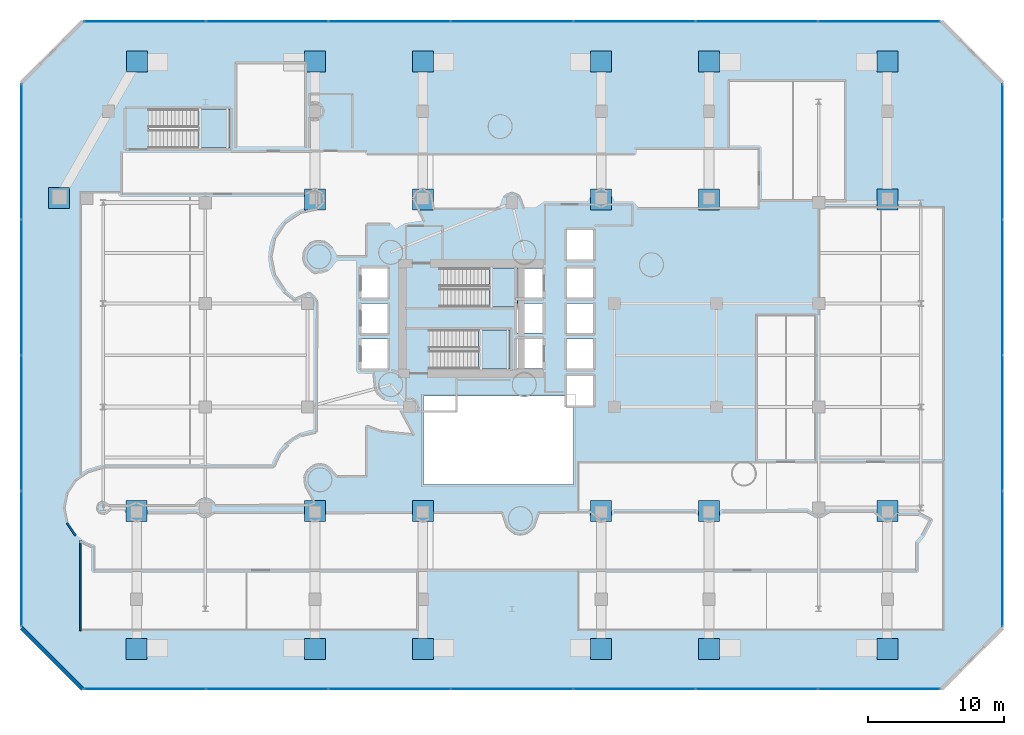
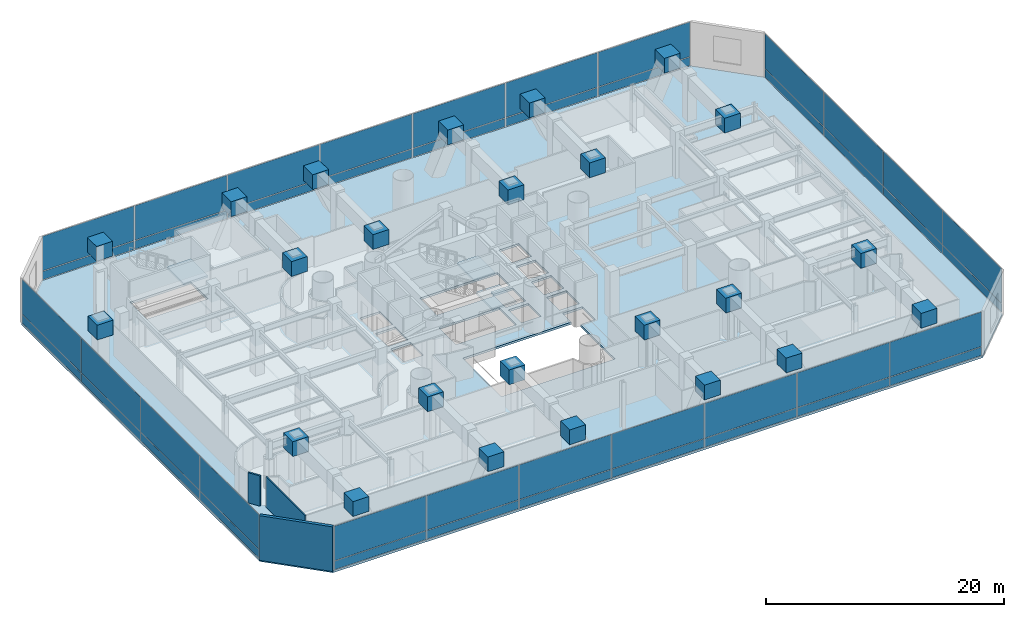
# One storey, part 30 of 45: 68 plates, 4 slabs, 3 walls, 7 elements without a shape of their own.
"""IFC4 building model written with IfcOpenShell, lengths in metres."""

from ifc_helpers import new_model, si_unit, direction, frame, frame_2d, origin, origin_2d, place, context, subcontext, project, spatial, polyline, rectangle, outline, extrude, material, layer, layer_set, type_object, element, aggregate, save


model = new_model("IFC4")

# Units and contexts
model_context = context("Model", 3, precision=1e-05, world=origin(), true_north=direction((0.0, 1.0)))
body_context = subcontext(model_context, "Body", "Model", "MODEL_VIEW")
ifc_project = project(units=[si_unit("LENGTHUNIT", "METRE"), si_unit("AREAUNIT", "SQUARE_METRE"), si_unit("VOLUMEUNIT", "CUBIC_METRE"), si_unit("PLANEANGLEUNIT", "RADIAN"), si_unit("MASSUNIT", "GRAM", prefix="KILO")], contexts=[model_context])

# Site, building, storey
site_placement = place(None, origin())
site = spatial("IfcSite", under=ifc_project, at=site_placement, CompositionType="ELEMENT")
building_placement = place(site_placement, origin())
building = spatial("IfcBuilding", under=site, at=building_placement, Name="Qianvela Tower", CompositionType="ELEMENT")
storey_placement = place(building_placement, frame((0.0, 0.0, 11.0)))
storey = spatial("IfcBuildingStorey", under=building, at=storey_placement, Name="L02", CompositionType="ELEMENT", Elevation=11.0)

# Curtain wall, plates
ifc_material_1 = material(Name="Anodised Architectural Aluminium and Low-E Glass", Category="aluminium")
ifc_layer_1 = layer(ifc_material_1, 0.179931640625)
ifc_layer_set_1 = layer_set([ifc_layer_1], Name="Anodised Architectural Aluminium and Low-E Glass")
curtain_wall_type = type_object("IfcCurtainWallType", Name="CW-COMMONS", PredefinedType="USERDEFINED", material=ifc_layer_set_1)
curtain_wall_1_placement = place(storey_placement, origin())
curtain_wall_1 = element("IfcCurtainWall", 1, at=curtain_wall_1_placement, inside=storey, type_object=curtain_wall_type, Name="L02 CW-COMMONS Curtain Wall 01", ObjectType="CURTAIN_WALL_SYSTEM", PredefinedType="USERDEFINED")
ifc_material_2 = material(Name="Double-Silver Low-E Insulated Glass", Category="glass")
ifc_layer_2 = layer(ifc_material_2, 0.031982421875)
ifc_layer_set_2 = layer_set([ifc_layer_2], Name="Double-Silver Low-E Insulated Glass")
plate_type_1 = type_object("IfcPlateType", Name="CW-COMMONS-PNL", PredefinedType="CURTAIN_PANEL", material=ifc_layer_set_2)
plate_1_placement = place(storey_placement, frame((10.560302734375, 1.5, 0.06005859375), z_axis=(0.0, 0.0, 1.0), x_axis=(1.0, 0.0, 0.0)))
plate_1 = element("IfcPlate", 2, at=plate_1_placement, type_object=plate_type_1, Name="CW-2 panel 1.1", PredefinedType="CURTAIN_PANEL", context=body_context, shape_type="SweptSolid", body=[
    extrude(rectangle(XDim=8.880615234375, YDim=0.031982421875, at=origin_2d()), origin(), (0.0, 0.0, 1.0), 0.860107421875),
])
plate_2_placement = place(storey_placement, frame((10.560302734375, 1.5, 0.97998046875), z_axis=(0.0, 0.0, 1.0), x_axis=(1.0, 0.0, 0.0)))
plate_2 = element("IfcPlate", 3, at=plate_2_placement, type_object=plate_type_1, Name="CW-2 panel 1.2", PredefinedType="CURTAIN_PANEL", context=body_context, shape_type="SweptSolid", body=[
    extrude(rectangle(XDim=8.880615234375, YDim=0.031982421875, at=origin_2d()), origin(), (0.0, 0.0, 1.0), 3.5400390625),
])
plate_3_placement = place(storey_placement, frame((19.528564453125, 1.5, 0.06005859375), z_axis=(0.0, 0.0, 1.0), x_axis=(1.0, 0.0, 0.0)))
plate_3 = element("IfcPlate", 4, at=plate_3_placement, type_object=plate_type_1, Name="CW-2 panel 2.1", PredefinedType="CURTAIN_PANEL", context=body_context, shape_type="SweptSolid", body=[
    extrude(rectangle(XDim=8.915771484375, YDim=0.031982421875, at=origin_2d()), origin(), (0.0, 0.0, 1.0), 0.860107421875),
])
plate_4_placement = place(storey_placement, frame((19.528564453125, 1.5, 0.97998046875), z_axis=(0.0, 0.0, 1.0), x_axis=(1.0, 0.0, 0.0)))
plate_4 = element("IfcPlate", 5, at=plate_4_placement, type_object=plate_type_1, Name="CW-2 panel 2.2", PredefinedType="CURTAIN_PANEL", context=body_context, shape_type="SweptSolid", body=[
    extrude(rectangle(XDim=8.915771484375, YDim=0.031982421875, at=origin_2d()), origin(), (0.0, 0.0, 1.0), 3.5400390625),
])
plate_5_placement = place(storey_placement, frame((28.514404296875, 1.5, 0.06005859375), z_axis=(0.0, 0.0, 1.0), x_axis=(1.0, 0.0, 0.0)))
plate_5 = element("IfcPlate", 6, at=plate_5_placement, type_object=plate_type_1, Name="CW-2 panel 3.1", PredefinedType="CURTAIN_PANEL", context=body_context, shape_type="SweptSolid", body=[
    extrude(rectangle(XDim=8.915771484375, YDim=0.031982421875, at=origin_2d()), origin(), (0.0, 0.0, 1.0), 0.860107421875),
])
plate_6_placement = place(storey_placement, frame((28.514404296875, 1.5, 0.97998046875), z_axis=(0.0, 0.0, 1.0), x_axis=(1.0, 0.0, 0.0)))
plate_6 = element("IfcPlate", 7, at=plate_6_placement, type_object=plate_type_1, Name="CW-2 panel 3.2", PredefinedType="CURTAIN_PANEL", context=body_context, shape_type="SweptSolid", body=[
    extrude(rectangle(XDim=8.915771484375, YDim=0.031982421875, at=origin_2d()), origin(), (0.0, 0.0, 1.0), 3.5400390625),
])
plate_7_placement = place(storey_placement, frame((37.5, 1.5, 0.06005859375), z_axis=(0.0, 0.0, 1.0), x_axis=(1.0, 0.0, 0.0)))
plate_7 = element("IfcPlate", 8, at=plate_7_placement, type_object=plate_type_1, Name="CW-2 panel 4.1", PredefinedType="CURTAIN_PANEL", context=body_context, shape_type="SweptSolid", body=[
    extrude(rectangle(XDim=8.915771484375, YDim=0.031982421875, at=origin_2d()), origin(), (0.0, 0.0, 1.0), 0.860107421875),
])
plate_8_placement = place(storey_placement, frame((37.5, 1.5, 0.97998046875), z_axis=(0.0, 0.0, 1.0), x_axis=(1.0, 0.0, 0.0)))
plate_8 = element("IfcPlate", 9, at=plate_8_placement, type_object=plate_type_1, Name="CW-2 panel 4.2", PredefinedType="CURTAIN_PANEL", context=body_context, shape_type="SweptSolid", body=[
    extrude(rectangle(XDim=8.915771484375, YDim=0.031982421875, at=origin_2d()), origin(), (0.0, 0.0, 1.0), 3.5400390625),
])
plate_9_placement = place(storey_placement, frame((46.485595703125, 1.5, 0.06005859375), z_axis=(0.0, 0.0, 1.0), x_axis=(1.0, 0.0, 0.0)))
plate_9 = element("IfcPlate", 10, at=plate_9_placement, type_object=plate_type_1, Name="CW-2 panel 5.1", PredefinedType="CURTAIN_PANEL", context=body_context, shape_type="SweptSolid", body=[
    extrude(rectangle(XDim=8.915771484375, YDim=0.031982421875, at=origin_2d()), origin(), (0.0, 0.0, 1.0), 0.860107421875),
])
plate_10_placement = place(storey_placement, frame((46.485595703125, 1.5, 0.97998046875), z_axis=(0.0, 0.0, 1.0), x_axis=(1.0, 0.0, 0.0)))
plate_10 = element("IfcPlate", 11, at=plate_10_placement, type_object=plate_type_1, Name="CW-2 panel 5.2", PredefinedType="CURTAIN_PANEL", context=body_context, shape_type="SweptSolid", body=[
    extrude(rectangle(XDim=8.915771484375, YDim=0.031982421875, at=origin_2d()), origin(), (0.0, 0.0, 1.0), 3.5400390625),
])
plate_11_placement = place(storey_placement, frame((55.471435546875, 1.5, 0.06005859375), z_axis=(0.0, 0.0, 1.0), x_axis=(1.0, 0.0, 0.0)))
plate_11 = element("IfcPlate", 12, at=plate_11_placement, type_object=plate_type_1, Name="CW-2 panel 6.1", PredefinedType="CURTAIN_PANEL", context=body_context, shape_type="SweptSolid", body=[
    extrude(rectangle(XDim=8.915771484375, YDim=0.031982421875, at=origin_2d()), origin(), (0.0, 0.0, 1.0), 0.860107421875),
])
plate_12_placement = place(storey_placement, frame((55.471435546875, 1.5, 0.97998046875), z_axis=(0.0, 0.0, 1.0), x_axis=(1.0, 0.0, 0.0)))
plate_12 = element("IfcPlate", 13, at=plate_12_placement, type_object=plate_type_1, Name="CW-2 panel 6.2", PredefinedType="CURTAIN_PANEL", context=body_context, shape_type="SweptSolid", body=[
    extrude(rectangle(XDim=8.915771484375, YDim=0.031982421875, at=origin_2d()), origin(), (0.0, 0.0, 1.0), 3.5400390625),
])
plate_13_placement = place(storey_placement, frame((64.439697265625, 1.5, 0.06005859375), z_axis=(0.0, 0.0, 1.0), x_axis=(1.0, 0.0, 0.0)))
plate_13 = element("IfcPlate", 14, at=plate_13_placement, type_object=plate_type_1, Name="CW-2 panel 7.1", PredefinedType="CURTAIN_PANEL", context=body_context, shape_type="SweptSolid", body=[
    extrude(rectangle(XDim=8.880615234375, YDim=0.031982421875, at=origin_2d()), origin(), (0.0, 0.0, 1.0), 0.860107421875),
])
plate_14_placement = place(storey_placement, frame((64.439697265625, 1.5, 0.97998046875), z_axis=(0.0, 0.0, 1.0), x_axis=(1.0, 0.0, 0.0)))
plate_14 = element("IfcPlate", 15, at=plate_14_placement, type_object=plate_type_1, Name="CW-2 panel 7.2", PredefinedType="CURTAIN_PANEL", context=body_context, shape_type="SweptSolid", body=[
    extrude(rectangle(XDim=8.880615234375, YDim=0.031982421875, at=origin_2d()), origin(), (0.0, 0.0, 1.0), 3.5400390625),
])
aggregate(curtain_wall_1, [plate_1, plate_2, plate_3, plate_4, plate_5, plate_6, plate_7, plate_8, plate_9, plate_10, plate_11, plate_12, plate_13, plate_14])

curtain_wall_2_placement = place(storey_placement, origin())
curtain_wall_2 = element("IfcCurtainWall", 16, at=curtain_wall_2_placement, inside=storey, type_object=curtain_wall_type, Name="L02 CW-COMMONS Curtain Wall 03", ObjectType="CURTAIN_WALL_SYSTEM", PredefinedType="USERDEFINED")
plate_15_placement = place(storey_placement, frame((73.5, 11.054931640625, 0.06005859375), z_axis=(0.0, 0.0, 1.0), x_axis=(0.0, 1.0, 0.0)))
plate_15 = element("IfcPlate", 17, at=plate_15_placement, type_object=plate_type_1, Name="CW-2 panel 1.1", PredefinedType="CURTAIN_PANEL", context=body_context, shape_type="SweptSolid", body=[
    extrude(rectangle(XDim=9.8701171875, YDim=0.031982421875, at=origin_2d()), origin(), (0.0, 0.0, 1.0), 0.860107421875),
])
plate_16_placement = place(storey_placement, frame((73.5, 11.054931640625, 0.97998046875), z_axis=(0.0, 0.0, 1.0), x_axis=(0.0, 1.0, 0.0)))
plate_16 = element("IfcPlate", 18, at=plate_16_placement, type_object=plate_type_1, Name="CW-2 panel 1.2", PredefinedType="CURTAIN_PANEL", context=body_context, shape_type="SweptSolid", body=[
    extrude(rectangle(XDim=9.8701171875, YDim=0.031982421875, at=origin_2d()), origin(), (0.0, 0.0, 1.0), 3.5400390625),
])
plate_17_placement = place(storey_placement, frame((73.5, 21.012451171875, 0.06005859375), z_axis=(0.0, 0.0, 1.0), x_axis=(0.0, 1.0, 0.0)))
plate_17 = element("IfcPlate", 19, at=plate_17_placement, type_object=plate_type_1, Name="CW-2 panel 2.1", PredefinedType="CURTAIN_PANEL", context=body_context, shape_type="SweptSolid", body=[
    extrude(rectangle(XDim=9.905029296875, YDim=0.031982421875, at=origin_2d()), origin(), (0.0, 0.0, 1.0), 0.860107421875),
])
plate_18_placement = place(storey_placement, frame((73.5, 21.012451171875, 0.97998046875), z_axis=(0.0, 0.0, 1.0), x_axis=(0.0, 1.0, 0.0)))
plate_18 = element("IfcPlate", 20, at=plate_18_placement, type_object=plate_type_1, Name="CW-2 panel 2.2", PredefinedType="CURTAIN_PANEL", context=body_context, shape_type="SweptSolid", body=[
    extrude(rectangle(XDim=9.905029296875, YDim=0.031982421875, at=origin_2d()), origin(), (0.0, 0.0, 1.0), 3.5400390625),
])
plate_19_placement = place(storey_placement, frame((73.5, 30.987548828125, 0.06005859375), z_axis=(0.0, 0.0, 1.0), x_axis=(0.0, 1.0, 0.0)))
plate_19 = element("IfcPlate", 21, at=plate_19_placement, type_object=plate_type_1, Name="CW-2 panel 3.1", PredefinedType="CURTAIN_PANEL", context=body_context, shape_type="SweptSolid", body=[
    extrude(rectangle(XDim=9.905029296875, YDim=0.031982421875, at=origin_2d()), origin(), (0.0, 0.0, 1.0), 0.860107421875),
])
plate_20_placement = place(storey_placement, frame((73.5, 30.987548828125, 0.97998046875), z_axis=(0.0, 0.0, 1.0), x_axis=(0.0, 1.0, 0.0)))
plate_20 = element("IfcPlate", 22, at=plate_20_placement, type_object=plate_type_1, Name="CW-2 panel 3.2", PredefinedType="CURTAIN_PANEL", context=body_context, shape_type="SweptSolid", body=[
    extrude(rectangle(XDim=9.905029296875, YDim=0.031982421875, at=origin_2d()), origin(), (0.0, 0.0, 1.0), 3.5400390625),
])
plate_21_placement = place(storey_placement, frame((73.5, 40.945068359375, 0.06005859375), z_axis=(0.0, 0.0, 1.0), x_axis=(0.0, 1.0, 0.0)))
plate_21 = element("IfcPlate", 23, at=plate_21_placement, type_object=plate_type_1, Name="CW-2 panel 4.1", PredefinedType="CURTAIN_PANEL", context=body_context, shape_type="SweptSolid", body=[
    extrude(rectangle(XDim=9.8701171875, YDim=0.031982421875, at=origin_2d()), origin(), (0.0, 0.0, 1.0), 0.860107421875),
])
plate_22_placement = place(storey_placement, frame((73.5, 40.945068359375, 0.97998046875), z_axis=(0.0, 0.0, 1.0), x_axis=(0.0, 1.0, 0.0)))
plate_22 = element("IfcPlate", 24, at=plate_22_placement, type_object=plate_type_1, Name="CW-2 panel 4.2", PredefinedType="CURTAIN_PANEL", context=body_context, shape_type="SweptSolid", body=[
    extrude(rectangle(XDim=9.8701171875, YDim=0.031982421875, at=origin_2d()), origin(), (0.0, 0.0, 1.0), 3.5400390625),
])
aggregate(curtain_wall_2, [plate_15, plate_16, plate_17, plate_18, plate_19, plate_20, plate_21, plate_22])

curtain_wall_3_placement = place(storey_placement, origin())
curtain_wall_3 = element("IfcCurtainWall", 25, at=curtain_wall_3_placement, inside=storey, type_object=curtain_wall_type, Name="L02 CW-COMMONS Curtain Wall 05", ObjectType="CURTAIN_WALL_SYSTEM", PredefinedType="USERDEFINED")
plate_23_placement = place(storey_placement, frame((64.439697265625, 50.5, 0.06005859375), z_axis=(0.0, 0.0, 1.0), x_axis=(-1.0, 0.0, 0.0)))
plate_23 = element("IfcPlate", 26, at=plate_23_placement, type_object=plate_type_1, Name="CW-2 panel 1.1", PredefinedType="CURTAIN_PANEL", context=body_context, shape_type="SweptSolid", body=[
    extrude(rectangle(XDim=8.880615234375, YDim=0.031982421875, at=origin_2d()), origin(), (0.0, 0.0, 1.0), 0.860107421875),
])
plate_24_placement = place(storey_placement, frame((64.439697265625, 50.5, 0.97998046875), z_axis=(0.0, 0.0, 1.0), x_axis=(-1.0, 0.0, 0.0)))
plate_24 = element("IfcPlate", 27, at=plate_24_placement, type_object=plate_type_1, Name="CW-2 panel 1.2", PredefinedType="CURTAIN_PANEL", context=body_context, shape_type="SweptSolid", body=[
    extrude(rectangle(XDim=8.880615234375, YDim=0.031982421875, at=origin_2d()), origin(), (0.0, 0.0, 1.0), 3.5400390625),
])
plate_25_placement = place(storey_placement, frame((55.471435546875, 50.5, 0.06005859375), z_axis=(0.0, 0.0, 1.0), x_axis=(-1.0, 0.0, 0.0)))
plate_25 = element("IfcPlate", 28, at=plate_25_placement, type_object=plate_type_1, Name="CW-2 panel 2.1", PredefinedType="CURTAIN_PANEL", context=body_context, shape_type="SweptSolid", body=[
    extrude(rectangle(XDim=8.915771484375, YDim=0.031982421875, at=origin_2d()), origin(), (0.0, 0.0, 1.0), 0.860107421875),
])
plate_26_placement = place(storey_placement, frame((55.471435546875, 50.5, 0.97998046875), z_axis=(0.0, 0.0, 1.0), x_axis=(-1.0, 0.0, 0.0)))
plate_26 = element("IfcPlate", 29, at=plate_26_placement, type_object=plate_type_1, Name="CW-2 panel 2.2", PredefinedType="CURTAIN_PANEL", context=body_context, shape_type="SweptSolid", body=[
    extrude(rectangle(XDim=8.915771484375, YDim=0.031982421875, at=origin_2d()), origin(), (0.0, 0.0, 1.0), 3.5400390625),
])
plate_27_placement = place(storey_placement, frame((46.485595703125, 50.5, 0.06005859375), z_axis=(0.0, 0.0, 1.0), x_axis=(-1.0, 0.0, 0.0)))
plate_27 = element("IfcPlate", 30, at=plate_27_placement, type_object=plate_type_1, Name="CW-2 panel 3.1", PredefinedType="CURTAIN_PANEL", context=body_context, shape_type="SweptSolid", body=[
    extrude(rectangle(XDim=8.915771484375, YDim=0.031982421875, at=origin_2d()), origin(), (0.0, 0.0, 1.0), 0.860107421875),
])
plate_28_placement = place(storey_placement, frame((46.485595703125, 50.5, 0.97998046875), z_axis=(0.0, 0.0, 1.0), x_axis=(-1.0, 0.0, 0.0)))
plate_28 = element("IfcPlate", 31, at=plate_28_placement, type_object=plate_type_1, Name="CW-2 panel 3.2", PredefinedType="CURTAIN_PANEL", context=body_context, shape_type="SweptSolid", body=[
    extrude(rectangle(XDim=8.915771484375, YDim=0.031982421875, at=origin_2d()), origin(), (0.0, 0.0, 1.0), 3.5400390625),
])
plate_29_placement = place(storey_placement, frame((37.5, 50.5, 0.06005859375), z_axis=(0.0, 0.0, 1.0), x_axis=(-1.0, 0.0, 0.0)))
plate_29 = element("IfcPlate", 32, at=plate_29_placement, type_object=plate_type_1, Name="CW-2 panel 4.1", PredefinedType="CURTAIN_PANEL", context=body_context, shape_type="SweptSolid", body=[
    extrude(rectangle(XDim=8.915771484375, YDim=0.031982421875, at=origin_2d()), origin(), (0.0, 0.0, 1.0), 0.860107421875),
])
plate_30_placement = place(storey_placement, frame((37.5, 50.5, 0.97998046875), z_axis=(0.0, 0.0, 1.0), x_axis=(-1.0, 0.0, 0.0)))
plate_30 = element("IfcPlate", 33, at=plate_30_placement, type_object=plate_type_1, Name="CW-2 panel 4.2", PredefinedType="CURTAIN_PANEL", context=body_context, shape_type="SweptSolid", body=[
    extrude(rectangle(XDim=8.915771484375, YDim=0.031982421875, at=origin_2d()), origin(), (0.0, 0.0, 1.0), 3.5400390625),
])
plate_31_placement = place(storey_placement, frame((28.514404296875, 50.5, 0.06005859375), z_axis=(0.0, 0.0, 1.0), x_axis=(-1.0, 0.0, 0.0)))
plate_31 = element("IfcPlate", 34, at=plate_31_placement, type_object=plate_type_1, Name="CW-2 panel 5.1", PredefinedType="CURTAIN_PANEL", context=body_context, shape_type="SweptSolid", body=[
    extrude(rectangle(XDim=8.915771484375, YDim=0.031982421875, at=origin_2d()), origin(), (0.0, 0.0, 1.0), 0.860107421875),
])
plate_32_placement = place(storey_placement, frame((28.514404296875, 50.5, 0.97998046875), z_axis=(0.0, 0.0, 1.0), x_axis=(-1.0, 0.0, 0.0)))
plate_32 = element("IfcPlate", 35, at=plate_32_placement, type_object=plate_type_1, Name="CW-2 panel 5.2", PredefinedType="CURTAIN_PANEL", context=body_context, shape_type="SweptSolid", body=[
    extrude(rectangle(XDim=8.915771484375, YDim=0.031982421875, at=origin_2d()), origin(), (0.0, 0.0, 1.0), 3.5400390625),
])
plate_33_placement = place(storey_placement, frame((19.528564453125, 50.5, 0.06005859375), z_axis=(0.0, 0.0, 1.0), x_axis=(-1.0, 0.0, 0.0)))
plate_33 = element("IfcPlate", 36, at=plate_33_placement, type_object=plate_type_1, Name="CW-2 panel 6.1", PredefinedType="CURTAIN_PANEL", context=body_context, shape_type="SweptSolid", body=[
    extrude(rectangle(XDim=8.915771484375, YDim=0.031982421875, at=origin_2d()), origin(), (0.0, 0.0, 1.0), 0.860107421875),
])
plate_34_placement = place(storey_placement, frame((19.528564453125, 50.5, 0.97998046875), z_axis=(0.0, 0.0, 1.0), x_axis=(-1.0, 0.0, 0.0)))
plate_34 = element("IfcPlate", 37, at=plate_34_placement, type_object=plate_type_1, Name="CW-2 panel 6.2", PredefinedType="CURTAIN_PANEL", context=body_context, shape_type="SweptSolid", body=[
    extrude(rectangle(XDim=8.915771484375, YDim=0.031982421875, at=origin_2d()), origin(), (0.0, 0.0, 1.0), 3.5400390625),
])
plate_35_placement = place(storey_placement, frame((10.560302734375, 50.5, 0.06005859375), z_axis=(0.0, 0.0, 1.0), x_axis=(-1.0, 0.0, 0.0)))
plate_35 = element("IfcPlate", 38, at=plate_35_placement, type_object=plate_type_1, Name="CW-2 panel 7.1", PredefinedType="CURTAIN_PANEL", context=body_context, shape_type="SweptSolid", body=[
    extrude(rectangle(XDim=8.880615234375, YDim=0.031982421875, at=origin_2d()), origin(), (0.0, 0.0, 1.0), 0.860107421875),
])
plate_36_placement = place(storey_placement, frame((10.560302734375, 50.5, 0.97998046875), z_axis=(0.0, 0.0, 1.0), x_axis=(-1.0, 0.0, 0.0)))
plate_36 = element("IfcPlate", 39, at=plate_36_placement, type_object=plate_type_1, Name="CW-2 panel 7.2", PredefinedType="CURTAIN_PANEL", context=body_context, shape_type="SweptSolid", body=[
    extrude(rectangle(XDim=8.880615234375, YDim=0.031982421875, at=origin_2d()), origin(), (0.0, 0.0, 1.0), 3.5400390625),
])
aggregate(curtain_wall_3, [plate_23, plate_24, plate_25, plate_26, plate_27, plate_28, plate_29, plate_30, plate_31, plate_32, plate_33, plate_34, plate_35, plate_36])

curtain_wall_4_placement = place(storey_placement, origin())
curtain_wall_4 = element("IfcCurtainWall", 40, at=curtain_wall_4_placement, inside=storey, type_object=curtain_wall_type, Name="L02 CW-COMMONS Curtain Wall 07", ObjectType="CURTAIN_WALL_SYSTEM", PredefinedType="USERDEFINED")
plate_37_placement = place(storey_placement, frame((1.5, 40.945068359375, 0.06005859375), z_axis=(0.0, 0.0, 1.0), x_axis=(0.0, -1.0, 0.0)))
plate_37 = element("IfcPlate", 41, at=plate_37_placement, type_object=plate_type_1, Name="CW-2 panel 1.1", PredefinedType="CURTAIN_PANEL", context=body_context, shape_type="SweptSolid", body=[
    extrude(rectangle(XDim=9.8701171875, YDim=0.031982421875, at=origin_2d()), origin(), (0.0, 0.0, 1.0), 0.860107421875),
])
plate_38_placement = place(storey_placement, frame((1.5, 40.945068359375, 0.97998046875), z_axis=(0.0, 0.0, 1.0), x_axis=(0.0, -1.0, 0.0)))
plate_38 = element("IfcPlate", 42, at=plate_38_placement, type_object=plate_type_1, Name="CW-2 panel 1.2", PredefinedType="CURTAIN_PANEL", context=body_context, shape_type="SweptSolid", body=[
    extrude(rectangle(XDim=9.8701171875, YDim=0.031982421875, at=origin_2d()), origin(), (0.0, 0.0, 1.0), 3.5400390625),
])
plate_39_placement = place(storey_placement, frame((1.5, 30.987548828125, 0.06005859375), z_axis=(0.0, 0.0, 1.0), x_axis=(0.0, -1.0, 0.0)))
plate_39 = element("IfcPlate", 43, at=plate_39_placement, type_object=plate_type_1, Name="CW-2 panel 2.1", PredefinedType="CURTAIN_PANEL", context=body_context, shape_type="SweptSolid", body=[
    extrude(rectangle(XDim=9.905029296875, YDim=0.031982421875, at=origin_2d()), origin(), (0.0, 0.0, 1.0), 0.860107421875),
])
plate_40_placement = place(storey_placement, frame((1.5, 30.987548828125, 0.97998046875), z_axis=(0.0, 0.0, 1.0), x_axis=(0.0, -1.0, 0.0)))
plate_40 = element("IfcPlate", 44, at=plate_40_placement, type_object=plate_type_1, Name="CW-2 panel 2.2", PredefinedType="CURTAIN_PANEL", context=body_context, shape_type="SweptSolid", body=[
    extrude(rectangle(XDim=9.905029296875, YDim=0.031982421875, at=origin_2d()), origin(), (0.0, 0.0, 1.0), 3.5400390625),
])
plate_41_placement = place(storey_placement, frame((1.5, 21.012451171875, 0.06005859375), z_axis=(0.0, 0.0, 1.0), x_axis=(0.0, -1.0, 0.0)))
plate_41 = element("IfcPlate", 45, at=plate_41_placement, type_object=plate_type_1, Name="CW-2 panel 3.1", PredefinedType="CURTAIN_PANEL", context=body_context, shape_type="SweptSolid", body=[
    extrude(rectangle(XDim=9.905029296875, YDim=0.031982421875, at=origin_2d()), origin(), (0.0, 0.0, 1.0), 0.860107421875),
])
plate_42_placement = place(storey_placement, frame((1.5, 21.012451171875, 0.97998046875), z_axis=(0.0, 0.0, 1.0), x_axis=(0.0, -1.0, 0.0)))
plate_42 = element("IfcPlate", 46, at=plate_42_placement, type_object=plate_type_1, Name="CW-2 panel 3.2", PredefinedType="CURTAIN_PANEL", context=body_context, shape_type="SweptSolid", body=[
    extrude(rectangle(XDim=9.905029296875, YDim=0.031982421875, at=origin_2d()), origin(), (0.0, 0.0, 1.0), 3.5400390625),
])
plate_43_placement = place(storey_placement, frame((1.5, 11.054931640625, 0.06005859375), z_axis=(0.0, 0.0, 1.0), x_axis=(0.0, -1.0, 0.0)))
plate_43 = element("IfcPlate", 47, at=plate_43_placement, type_object=plate_type_1, Name="CW-2 panel 4.1", PredefinedType="CURTAIN_PANEL", context=body_context, shape_type="SweptSolid", body=[
    extrude(rectangle(XDim=9.8701171875, YDim=0.031982421875, at=origin_2d()), origin(), (0.0, 0.0, 1.0), 0.860107421875),
])
plate_44_placement = place(storey_placement, frame((1.5, 11.054931640625, 0.97998046875), z_axis=(0.0, 0.0, 1.0), x_axis=(0.0, -1.0, 0.0)))
plate_44 = element("IfcPlate", 48, at=plate_44_placement, type_object=plate_type_1, Name="CW-2 panel 4.2", PredefinedType="CURTAIN_PANEL", context=body_context, shape_type="SweptSolid", body=[
    extrude(rectangle(XDim=9.8701171875, YDim=0.031982421875, at=origin_2d()), origin(), (0.0, 0.0, 1.0), 3.5400390625),
])
aggregate(curtain_wall_4, [plate_37, plate_38, plate_39, plate_40, plate_41, plate_42, plate_43, plate_44])

# Plates
ifc_material_3 = material(Name="Steel Q420GJC", Category="steel")
ifc_layer_3 = layer(ifc_material_3, 0.139892578125)
ifc_layer_set_3 = layer_set([ifc_layer_3], Name="Steel Q420GJC")
plate_type_2 = type_object("IfcPlateType", Name="PT-GUSSET-NODE-140", PredefinedType="USERDEFINED", material=ifc_layer_set_3)
for number, where, z_axis, x_axis, name in (
    (49, (9.955322265625, 14.56494140625, 3.117919921875), (0.0, 0.0, 1.0), (1.0, 0.0, 0.0), "L02 Node Gusset Plate A"),
    (50, (9.955322265625, 4.43505859375, 3.117919921875), (0.0, 0.0, 1.0), (1.0, 0.0, 0.0), "L02 Node Gusset Plate B"),
    (51, (23.044677734375, 14.56494140625, 3.117919921875), (0.0, 0.0, 1.0), (1.0, 0.0, 0.0), "L02 Node Gusset Plate A"),
    (52, (23.044677734375, 4.43505859375, 3.117919921875), (0.0, 0.0, 1.0), (1.0, 0.0, 0.0), "L02 Node Gusset Plate B"),
    (53, (30.955322265625, 14.56494140625, 3.117919921875), (0.0, 0.0, 1.0), (1.0, 0.0, 0.0), "L02 Node Gusset Plate A"),
    (54, (30.955322265625, 4.43505859375, 3.117919921875), (0.0, 0.0, 1.0), (1.0, 0.0, 0.0), "L02 Node Gusset Plate B"),
    (55, (44.044677734375, 14.56494140625, 3.117919921875), (0.0, 0.0, 1.0), (1.0, 0.0, 0.0), "L02 Node Gusset Plate A"),
    (56, (44.044677734375, 4.43505859375, 3.117919921875), (0.0, 0.0, 1.0), (1.0, 0.0, 0.0), "L02 Node Gusset Plate B"),
    (57, (51.955322265625, 14.56494140625, 3.117919921875), (0.0, 0.0, 1.0), (1.0, 0.0, 0.0), "L02 Node Gusset Plate A"),
    (58, (51.955322265625, 4.43505859375, 3.117919921875), (0.0, 0.0, 1.0), (1.0, 0.0, 0.0), "L02 Node Gusset Plate B"),
    (59, (65.044677734375, 14.56494140625, 3.117919921875), (0.0, 0.0, 1.0), (1.0, 0.0, 0.0), "L02 Node Gusset Plate A"),
    (60, (65.044677734375, 4.43505859375, 3.117919921875), (0.0, 0.0, 1.0), (1.0, 0.0, 0.0), "L02 Node Gusset Plate B"),
    (61, (4.27099609375, 37.543701171875, 3.117919921875), (0.0, 0.0, 1.0), (1.0, 0.0, 0.0), "L02 Node Gusset Plate A"),
    (62, (9.987548828125, 47.556396484375, 3.117919921875), (0.0, 0.0, 1.0), (1.0, 0.0, 0.0), "L02 Node Gusset Plate B"),
    (63, (23.044677734375, 37.43505859375, 3.117919921875), (0.0, 0.0, 1.0), (1.0, 0.0, 0.0), "L02 Node Gusset Plate A"),
    (64, (23.044677734375, 47.56494140625, 3.117919921875), (0.0, 0.0, 1.0), (1.0, 0.0, 0.0), "L02 Node Gusset Plate B"),
    (65, (30.955322265625, 37.43505859375, 3.117919921875), (0.0, 0.0, 1.0), (1.0, 0.0, 0.0), "L02 Node Gusset Plate A"),
    (66, (30.955322265625, 47.56494140625, 3.117919921875), (0.0, 0.0, 1.0), (1.0, 0.0, 0.0), "L02 Node Gusset Plate B"),
    (67, (44.044677734375, 37.43505859375, 3.117919921875), (0.0, 0.0, 1.0), (1.0, 0.0, 0.0), "L02 Node Gusset Plate A"),
    (68, (44.044677734375, 47.56494140625, 3.117919921875), (0.0, 0.0, 1.0), (1.0, 0.0, 0.0), "L02 Node Gusset Plate B"),
    (69, (51.955322265625, 37.43505859375, 3.117919921875), (0.0, 0.0, 1.0), (1.0, 0.0, 0.0), "L02 Node Gusset Plate A"),
    (70, (51.955322265625, 47.56494140625, 3.117919921875), (0.0, 0.0, 1.0), (1.0, 0.0, 0.0), "L02 Node Gusset Plate B"),
    (71, (65.044677734375, 37.43505859375, 3.117919921875), (0.0, 0.0, 1.0), (1.0, 0.0, 0.0), "L02 Node Gusset Plate A"),
    (72, (65.044677734375, 47.56494140625, 3.117919921875), (0.0, 0.0, 1.0), (1.0, 0.0, 0.0), "L02 Node Gusset Plate B"),
):
    element("IfcPlate", number, at=place(storey_placement, frame(where, z_axis=z_axis, x_axis=x_axis)), inside=storey, type_object=plate_type_2, Name=name, ObjectType="GUSSET_PLATE", PredefinedType="USERDEFINED", context=body_context, shape_type="SweptSolid", body=[
        extrude(rectangle(XDim=1.5400390625, YDim=1.5400390625, at=origin_2d()), origin(), (0.0, 0.0, 1.0), 1.52001953125),
    ])

# Slab
ifc_material_4 = material(Name="Concrete C40", Category="concrete")
ifc_layer_4 = layer(ifc_material_4, 0.219970703125)
ifc_layer_set_4 = layer_set([ifc_layer_4], Name="Concrete C40")
slab_type_1 = type_object("IfcSlabType", Name="SL-POD-220", PredefinedType="FLOOR", material=ifc_layer_set_4)
slab_1_placement = place(storey_placement, frame((0.0, 0.0, -0.219970703125)))
element("IfcSlab", 73, at=slab_1_placement, inside=storey, type_object=slab_type_1, Name="L02 Composite Structural Floor Slab", PredefinedType="FLOOR", context=body_context, shape_type="SweptSolid", body=[
    extrude(outline(polyline([(6.0, 1.5), (69.0, 1.5), (73.5, 6.0), (73.5, 46.0), (69.0, 50.5), (6.0, 50.5), (1.5, 46.0), (1.5, 6.0), (6.0, 1.5)]), holes=[polyline([(42.0, 22.320068359375), (43.4599609375, 22.320068359375), (43.4599609375, 24.47998046875), (41.5400390625, 24.47998046875), (41.5400390625, 23.0), (31.0, 23.0), (31.0, 16.5), (42.0, 16.5), (42.0, 22.320068359375)]), polyline([(28.360107421875, 25.02001953125), (28.360107421875, 27.179931640625), (26.43994140625, 27.179931640625), (26.43994140625, 25.02001953125), (28.360107421875, 25.02001953125)]), polyline([(37.35009765625, 25.0), (37.35009765625, 27.860107421875), (31.469970703125, 27.860107421875), (31.469970703125, 25.0), (37.35009765625, 25.0)]), polyline([(28.360107421875, 27.6201171875), (28.360107421875, 29.780029296875), (26.43994140625, 29.780029296875), (26.43994140625, 27.6201171875), (28.360107421875, 27.6201171875)]), polyline([(37.89990234375, 32.3798828125), (37.89990234375, 32.39990234375), (32.25, 32.39990234375), (32.25, 29.5400390625), (37.840087890625, 29.5400390625), (37.840087890625, 27.6201171875), (39.760009765625, 27.6201171875), (39.760009765625, 29.780029296875), (37.89990234375, 29.780029296875), (37.89990234375, 30.219970703125), (39.760009765625, 30.219970703125), (39.760009765625, 32.3798828125), (37.89990234375, 32.3798828125)]), polyline([(28.360107421875, 30.219970703125), (28.360107421875, 32.3798828125), (26.43994140625, 32.3798828125), (26.43994140625, 30.219970703125), (28.360107421875, 30.219970703125)]), polyline([(16.800048828125, 41.199951171875), (16.800048828125, 44.06005859375), (10.8701171875, 44.06005859375), (10.8701171875, 41.199951171875), (16.800048828125, 41.199951171875)]), polyline([(39.760009765625, 25.02001953125), (39.760009765625, 27.179931640625), (37.840087890625, 27.179931640625), (37.840087890625, 25.02001953125), (39.760009765625, 25.02001953125)]), polyline([(43.4599609375, 25.02001953125), (43.4599609375, 27.179931640625), (41.5400390625, 27.179931640625), (41.5400390625, 25.02001953125), (43.4599609375, 25.02001953125)]), polyline([(43.4599609375, 27.6201171875), (43.4599609375, 29.780029296875), (41.5400390625, 29.780029296875), (41.5400390625, 27.6201171875), (43.4599609375, 27.6201171875)]), polyline([(43.4599609375, 30.219970703125), (43.4599609375, 32.3798828125), (41.5400390625, 32.3798828125), (41.5400390625, 30.219970703125), (43.4599609375, 30.219970703125)]), polyline([(43.4599609375, 33.02001953125), (43.4599609375, 35.179931640625), (41.5400390625, 35.179931640625), (41.5400390625, 33.02001953125), (43.4599609375, 33.02001953125)])]), origin(), (0.0, 0.0, 1.0), 0.219970703125),
])

# Stair, slab
ifc_material_5 = material(Name="Concrete C40", Category="concrete")
stair_type = type_object("IfcStairType", Name="ST-DOGLEG-1350-R171-N28", PredefinedType="HALF_TURN_STAIR", material=ifc_material_5)
stair_1_placement = place(storey_placement, origin())
stair_1 = element("IfcStair", 74, at=stair_1_placement, inside=storey, type_object=stair_type, Name="L02 Smoke-Proof Core Stair ST-1", PredefinedType="HALF_TURN_STAIR")
ifc_material_6 = material(Name="Concrete C40", Category="concrete")
ifc_layer_5 = layer(ifc_material_6, 0.199951171875)
ifc_layer_set_5 = layer_set([ifc_layer_5], Name="Concrete C40")
slab_type_2 = type_object("IfcSlabType", Name="SL-STAIR-LANDING-200", PredefinedType="LANDING", material=ifc_layer_set_5)
slab_2_placement = place(storey_placement, frame((0.0, 0.0, 2.199951171875)))
slab_2 = element("IfcSlab", 75, at=slab_2_placement, type_object=slab_type_2, Name="ST-1 landing 1", PredefinedType="LANDING", context=body_context, shape_type="SweptSolid", body=[
    extrude(outline(polyline([(35.840087890625, 29.5400390625), (37.89990234375, 29.5400390625), (37.89990234375, 32.39990234375), (35.840087890625, 32.39990234375), (35.840087890625, 29.5400390625)])), origin(), (0.0, 0.0, 1.0), 0.199951171875),
])
aggregate(stair_1, [slab_2])

stair_2_placement = place(storey_placement, origin())
stair_2 = element("IfcStair", 76, at=stair_2_placement, inside=storey, type_object=stair_type, Name="L02 Smoke-Proof Core Stair ST-2", PredefinedType="HALF_TURN_STAIR")
slab_3_placement = place(storey_placement, frame((0.0, 0.0, 2.199951171875)))
slab_3 = element("IfcSlab", 77, at=slab_3_placement, type_object=slab_type_2, Name="ST-2 landing 1", PredefinedType="LANDING", context=body_context, shape_type="SweptSolid", body=[
    extrude(outline(polyline([(35.06005859375, 25.0), (37.35009765625, 25.0), (37.35009765625, 27.860107421875), (35.06005859375, 27.860107421875), (35.06005859375, 25.0)])), origin(), (0.0, 0.0, 1.0), 0.199951171875),
])
aggregate(stair_2, [slab_3])

stair_3_placement = place(storey_placement, origin())
stair_3 = element("IfcStair", 78, at=stair_3_placement, inside=storey, type_object=stair_type, Name="L02 Smoke-Proof Core Stair ST-3", PredefinedType="HALF_TURN_STAIR")
slab_4_placement = place(storey_placement, frame((0.0, 0.0, 2.199951171875)))
slab_4 = element("IfcSlab", 79, at=slab_4_placement, type_object=slab_type_2, Name="ST-3 landing 1", PredefinedType="LANDING", context=body_context, shape_type="SweptSolid", body=[
    extrude(outline(polyline([(14.4599609375, 41.199951171875), (16.800048828125, 41.199951171875), (16.800048828125, 44.06005859375), (14.4599609375, 44.06005859375), (14.4599609375, 41.199951171875)])), origin(), (0.0, 0.0, 1.0), 0.199951171875),
])
aggregate(stair_3, [slab_4])

# Walls
ifc_material_7 = material(Name="Terracotta Cladding on Concrete C40", Category="masonry")
ifc_layer_6 = layer(ifc_material_7, 0.280029296875)
ifc_layer_set_6 = layer_set([ifc_layer_6], Name="Terracotta Cladding on Concrete C40")
wall_type_1 = type_object("IfcWallType", Name="TERRACOTTA-WALL-280", PredefinedType="SOLIDWALL", material=ifc_layer_set_6)
wall_1_placement = place(storey_placement, frame((1.5, 6.0, 0.0), z_axis=(0.0, 0.0, 1.0), x_axis=(0.707106781187, -0.707106781187, 0.0)))
element("IfcWall", 80, at=wall_1_placement, inside=storey, type_object=wall_type_1, Name="L02 Terracotta Corner Wall 8", PredefinedType="SOLIDWALL", context=body_context, shape_type="SweptSolid", body=[
    extrude(rectangle(XDim=6.364013671875, YDim=0.280029296875, at=frame_2d((3.18212890625, 0.0))), origin(), (0.0, 0.0, 1.0), 4.580078125),
])
ifc_material_8 = material(Name="Fire-Rated Gypsum and Concrete Block", Category="concrete")
ifc_layer_7 = layer(ifc_material_8, 0.159912109375)
ifc_layer_set_7 = layer_set([ifc_layer_7], Name="Fire-Rated Gypsum and Concrete Block")
wall_type_2 = type_object("IfcWallType", Name="WT-CORR-160", PredefinedType="PARTITIONING", material=ifc_layer_set_7)
wall_2_placement = place(storey_placement, frame((5.47509765625, 12.7666015625, 0.0), z_axis=(0.0, 0.0, 1.0), x_axis=(-0.555546297918, 0.831485604728, 0.0)))
element("IfcWall", 81, at=wall_2_placement, inside=storey, type_object=wall_type_2, Name="L02 Partition 88", PredefinedType="PARTITIONING", context=body_context, shape_type="SweptSolid", body=[
    extrude(rectangle(XDim=1.131591796875, YDim=0.159912109375, at=frame_2d((0.56591796875, 0.0))), origin(), (0.0, 0.0, 1.0), 3.10009765625),
])
ifc_material_9 = material(Name="Lightweight Gypsum Room Partition")
ifc_layer_8 = layer(ifc_material_9, 0.10498046875)
ifc_layer_set_8 = layer_set([ifc_layer_8], Name="Lightweight Gypsum Room Partition")
wall_type_3 = type_object("IfcWallType", Name="WT-PART-105", PredefinedType="PARTITIONING", material=ifc_layer_set_8)
wall_3_placement = place(storey_placement, frame((5.8310546875, 5.800048828125, 0.0), z_axis=(0.0, 0.0, 1.0), x_axis=(0.0, 1.0, 0.0)))
element("IfcWall", 82, at=wall_3_placement, inside=storey, type_object=wall_type_3, Name="L02 Partition 197", PredefinedType="PARTITIONING", context=body_context, shape_type="SweptSolid", body=[
    extrude(rectangle(XDim=6.581298828125, YDim=0.10498046875, at=frame_2d((3.29052734375, 0.0))), origin(), (0.0, 0.0, 1.0), 3.10009765625),
])

save(model, "model.ifc")
